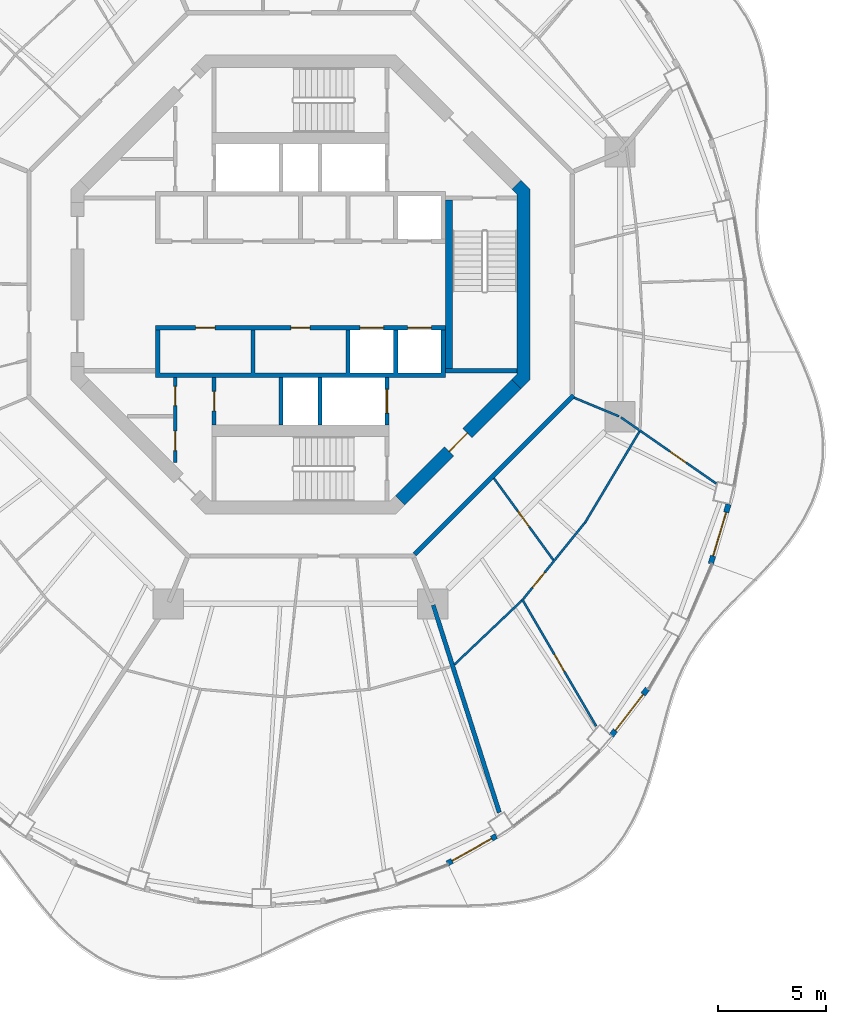
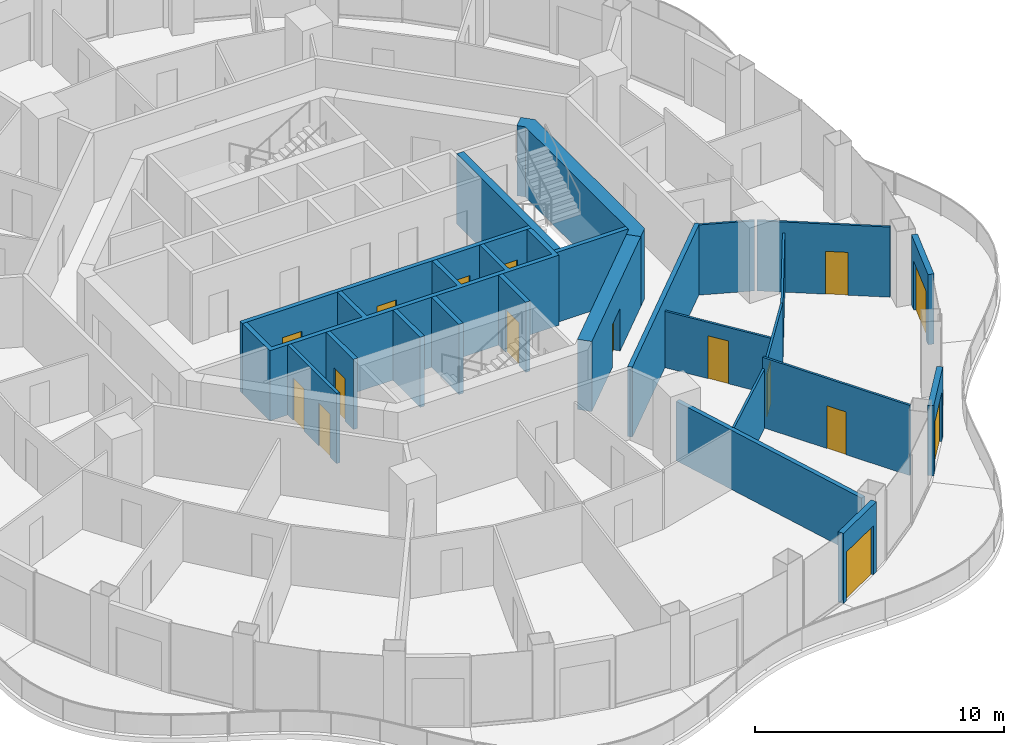
# One storey, part 11 of 17: 23 walls, 16 doors, 16 openings.
"""IFC4 building model written with IfcOpenShell, lengths in metres."""

from ifc_helpers import new_model, si_unit, direction, frame, frame_2d, origin, place, context, subcontext, project, spatial, polyline, rectangle, outline, extrude, material, layer, layer_set, type_object, element, fill, save


model = new_model("IFC4")

# Units and contexts
model_context = context("Model", 3, precision=1e-05, world=origin(), true_north=direction((0.0, 1.0)))
body_context = subcontext(model_context, "Body", "Model", "MODEL_VIEW")
ifc_project = project(units=[si_unit("LENGTHUNIT", "METRE"), si_unit("AREAUNIT", "SQUARE_METRE"), si_unit("VOLUMEUNIT", "CUBIC_METRE"), si_unit("PLANEANGLEUNIT", "RADIAN"), si_unit("MASSUNIT", "GRAM", prefix="KILO")], contexts=[model_context])

# Site, building, storey
site_placement = place(None, origin())
site = spatial("IfcSite", under=ifc_project, at=site_placement, CompositionType="ELEMENT")
building_placement = place(site_placement, origin())
building = spatial("IfcBuilding", under=site, at=building_placement, Name="Nagisa Residences", CompositionType="ELEMENT")
storey_placement = place(building_placement, frame((0.0, 0.0, 269.60009765625)))
storey = spatial("IfcBuildingStorey", under=building, at=storey_placement, Name="L68", CompositionType="ELEMENT", Elevation=269.60009765625)

# Walls
ifc_material_1 = material(Name="Gypsum board on steel studs", Category="steel")
ifc_layer_1 = layer(ifc_material_1, 0.199951171875)
ifc_layer_set_1 = layer_set([ifc_layer_1], Name="Apartment compartment wall EI60 200")
wall_type_1 = type_object("IfcWallType", Name="Apartment compartment wall EI60 200", PredefinedType="PARTITIONING", material=ifc_layer_set_1)
wall_1_placement = place(storey_placement, frame((6.13818359375, -14.82958984375, 0.0), z_axis=(0.0, 0.0, 1.0), x_axis=(0.303653679037, -0.952782474234, 0.0)))
element("IfcWall", 1, at=wall_1_placement, inside=storey, type_object=wall_type_1, Name="wall:L68:u09", PredefinedType="PARTITIONING", context=body_context, shape_type="SweptSolid", body=[
    extrude(rectangle(XDim=10.075927734375, YDim=0.199951171875, at=frame_2d((5.0380859375, 0.0))), origin(), (0.0, 0.0, 1.0), 2.90478515625),
])
ifc_material_2 = material(Name="Gypsum board on steel studs", Category="steel")
ifc_layer_2 = layer(ifc_material_2, 0.199951171875)
ifc_layer_set_2 = layer_set([ifc_layer_2], Name="Apartment entry wall EI60 200")
wall_type_2 = type_object("IfcWallType", Name="Apartment entry wall EI60 200", PredefinedType="PARTITIONING", material=ifc_layer_set_2)
wall_2_placement = place(storey_placement, frame((5.275146484375, -12.494140625, 0.0), z_axis=(0.0, 0.0, 1.0), x_axis=(0.707106781187, 0.707106781187, 0.0)))
element("IfcWall", 2, at=wall_2_placement, inside=storey, type_object=wall_type_2, Name="wall:L68:u17", PredefinedType="PARTITIONING", context=body_context, shape_type="SweptSolid", body=[
    extrude(rectangle(XDim=10.4091796875, YDim=0.199951171875, at=frame_2d((5.20458984375, 0.0))), origin(), (0.0, 0.0, 1.0), 3.43994140625),
])
ifc_material_3 = material(Name="Gypsum board on steel studs", Category="steel")
ifc_layer_3 = layer(ifc_material_3, 0.10009765625)
ifc_layer_set_3 = layer_set([ifc_layer_3], Name="Apartment partition 100")
wall_type_3 = type_object("IfcWallType", Name="Apartment partition 100", PredefinedType="PARTITIONING", material=ifc_layer_set_3)
wall_3_placement = place(storey_placement, frame((7.113037109375, -17.592041015625, 0.0), z_axis=(0.0, 0.0, 1.0), x_axis=(0.725433932329, 0.688291805723, 0.0)))
element("IfcWall", 3, at=wall_3_placement, inside=storey, type_object=wall_type_3, Name="wall:L68:u60", PredefinedType="PARTITIONING", context=body_context, shape_type="SweptSolid", body=[
    extrude(rectangle(XDim=4.305419921875, YDim=0.10009765625, at=frame_2d((2.15283203125, 0.0))), origin(), (0.0, 0.0, 1.0), 2.90478515625),
])

# Wall, opening, door
wall_4_placement = place(storey_placement, frame((10.24755859375, -14.551025390625, 0.0), z_axis=(0.0, 0.0, 1.0), x_axis=(0.503826483408, -0.86380488226, 0.0)))
wall_4 = element("IfcWall", 4, at=wall_4_placement, inside=storey, type_object=wall_type_3, Name="wall:L68:u61", PredefinedType="PARTITIONING", context=body_context, shape_type="SweptSolid", body=[
    extrude(rectangle(XDim=6.81591796875, YDim=0.10009765625, at=frame_2d((3.407958984375, 0.0))), origin(), (0.0, 0.0, 1.0), 3.43994140625),
])
opening_1_placement = place(wall_4_placement, frame((2.98291015625, 0.0, 0.0)))
opening_1 = element("IfcOpeningElement", 5, at=opening_1_placement, cuts=wall_4, Name="Opening L68-U39", PredefinedType="OPENING", context=body_context, shape_type="SweptSolid", body=[
    extrude(rectangle(XDim=0.89990234375, YDim=2.10009765625, at=frame_2d((0.449951171875, 1.050048828125))), frame((0.0, 0.06005859375, 0.0), z_axis=(0.0, -1.0, 0.0), x_axis=(1.0, 0.0, 0.0)), (0.0, 0.0, 1.0), 0.1201171875),
])
ifc_material_4 = material(Name="Timber door set", Category="wood")
door_type_1 = type_object("IfcDoorType", Name="Apartment door 900x2100", OperationType="NOTDEFINED", PredefinedType="DOOR", material=ifc_material_4)
door_1_placement = place(opening_1_placement, frame((0.89990234375, 0.0, 0.0), x_axis=(-1.0, 0.0, 0.0)))
door_1 = element("IfcDoor", 6, at=door_1_placement, inside=storey, type_object=door_type_1, Name="Door to master bedroom, Apartment 68E", OperationType="SINGLE_SWING_RIGHT", OverallHeight=2.10009765625, OverallWidth=0.89990234375, PredefinedType="DOOR", context=body_context, shape_type="SweptSolid", body=[
    extrude(rectangle(XDim=0.89990234375, YDim=2.10009765625, at=frame_2d((0.449951171875, 1.050048828125))), frame((0.0, 0.02490234375, 0.0), z_axis=(0.0, -1.0, 0.0), x_axis=(1.0, 0.0, 0.0)), (0.0, 0.0, 1.0), 0.050048828125),
])
fill(opening_1, door_1)

wall_5_placement = place(storey_placement, frame((10.303955078125, -14.555419921875, 0.0), z_axis=(0.0, 0.0, 1.0), x_axis=(0.628170338674, 0.778075848237, 0.0)))
wall_5 = element("IfcWall", 7, at=wall_5_placement, inside=storey, type_object=wall_type_3, Name="wall:L68:u62", PredefinedType="PARTITIONING", context=body_context, shape_type="SweptSolid", body=[
    extrude(rectangle(XDim=4.532470703125, YDim=0.10009765625, at=frame_2d((2.26611328125, 0.0))), origin(), (0.0, 0.0, 1.0), 2.90478515625),
])
opening_2_placement = place(wall_5_placement, frame((0.68310546875, 0.0, 0.0)))
opening_2 = element("IfcOpeningElement", 8, at=opening_2_placement, cuts=wall_5, Name="Opening L68-U37", PredefinedType="OPENING", context=body_context, shape_type="SweptSolid", body=[
    extrude(rectangle(XDim=0.89990234375, YDim=2.10009765625, at=frame_2d((0.449951171875, 1.050048828125))), frame((0.0, 0.06005859375, 0.0), z_axis=(0.0, -1.0, 0.0), x_axis=(1.0, 0.0, 0.0)), (0.0, 0.0, 1.0), 0.1201171875),
])
door_2_placement = place(opening_2_placement, origin())
door_2 = element("IfcDoor", 9, at=door_2_placement, inside=storey, type_object=door_type_1, Name="Door to laundry, Apartment 68E", OperationType="SINGLE_SWING_LEFT", OverallHeight=2.10009765625, OverallWidth=0.89990234375, PredefinedType="DOOR", context=body_context, shape_type="SweptSolid", body=[
    extrude(rectangle(XDim=0.89990234375, YDim=2.10009765625, at=frame_2d((0.449951171875, 1.050048828125))), frame((0.0, 0.02490234375, 0.0), z_axis=(0.0, -1.0, 0.0), x_axis=(1.0, 0.0, 0.0)), (0.0, 0.0, 1.0), 0.050048828125),
])
fill(opening_2, door_2)

wall_6_placement = place(storey_placement, frame((8.943359375, -8.965576171875, 0.0), z_axis=(0.0, 0.0, 1.0), x_axis=(0.588357698232, -0.808600778463, 0.0)))
wall_6 = element("IfcWall", 10, at=wall_6_placement, inside=storey, type_object=wall_type_3, Name="wall:L68:u63", PredefinedType="PARTITIONING", context=body_context, shape_type="SweptSolid", body=[
    extrude(rectangle(XDim=4.682373046875, YDim=0.10009765625, at=frame_2d((2.34130859375, 0.0))), origin(), (0.0, 0.0, 1.0), 2.761962890625),
])
opening_3_placement = place(wall_6_placement, frame((1.89111328125, 0.0, 0.0)))
opening_3 = element("IfcOpeningElement", 11, at=opening_3_placement, cuts=wall_6, Name="Opening L68-U38", PredefinedType="OPENING", context=body_context, shape_type="SweptSolid", body=[
    extrude(rectangle(XDim=0.89990234375, YDim=2.10009765625, at=frame_2d((0.449951171875, 1.050048828125))), frame((0.0, 0.06005859375, 0.0), z_axis=(0.0, -1.0, 0.0), x_axis=(1.0, 0.0, 0.0)), (0.0, 0.0, 1.0), 0.1201171875),
])
door_3_placement = place(opening_3_placement, origin())
door_3 = element("IfcDoor", 12, at=door_3_placement, inside=storey, type_object=door_type_1, Name="Door to store, Apartment 68E", OperationType="SINGLE_SWING_RIGHT", OverallHeight=2.10009765625, OverallWidth=0.89990234375, PredefinedType="DOOR", context=body_context, shape_type="SweptSolid", body=[
    extrude(rectangle(XDim=0.89990234375, YDim=2.10009765625, at=frame_2d((0.449951171875, 1.050048828125))), frame((0.0, 0.02490234375, 0.0), z_axis=(0.0, -1.0, 0.0), x_axis=(1.0, 0.0, 0.0)), (0.0, 0.0, 1.0), 0.050048828125),
])
fill(opening_3, door_3)

# Walls
wall_7_placement = place(storey_placement, frame((13.156982421875, -11.03271484375, 0.0), z_axis=(0.0, 0.0, 1.0), x_axis=(0.512736548388, 0.858545998737, 0.0)))
element("IfcWall", 13, at=wall_7_placement, inside=storey, type_object=wall_type_3, Name="wall:L68:u64", PredefinedType="PARTITIONING", context=body_context, shape_type="SweptSolid", body=[
    extrude(rectangle(XDim=4.921630859375, YDim=0.10009765625, at=frame_2d((2.4609375, 0.0))), origin(), (0.0, 0.0, 1.0), 2.90478515625),
])
wall_8_placement = place(storey_placement, frame((12.6572265625, -5.24267578125, 0.0), z_axis=(0.0, 0.0, 1.0), x_axis=(0.923864733477, -0.382719158442, 0.0)))
element("IfcWall", 14, at=wall_8_placement, inside=storey, type_object=wall_type_3, Name="wall:L68:u65", PredefinedType="PARTITIONING", context=body_context, shape_type="SweptSolid", body=[
    extrude(rectangle(XDim=2.25, YDim=0.10009765625, at=frame_2d((1.125, 0.0))), origin(), (0.0, 0.0, 1.0), 3.43994140625),
])

# Wall, opening, door
wall_9_placement = place(storey_placement, frame((14.8232421875, -6.1513671875, 0.0), z_axis=(0.0, 0.0, 1.0), x_axis=(0.821435065081, -0.570302054928, 0.0)))
wall_9 = element("IfcWall", 15, at=wall_9_placement, inside=storey, type_object=wall_type_3, Name="wall:L68:u66", PredefinedType="PARTITIONING", context=body_context, shape_type="SweptSolid", body=[
    extrude(rectangle(XDim=5.3681640625, YDim=0.10009765625, at=frame_2d((2.68408203125, 0.0))), origin(), (0.0, 0.0, 1.0), 3.43994140625),
])
opening_4_placement = place(wall_9_placement, frame((2.771484375, 0.0, 0.0)))
opening_4 = element("IfcOpeningElement", 16, at=opening_4_placement, cuts=wall_9, Name="Opening L68-U36", PredefinedType="OPENING", context=body_context, shape_type="SweptSolid", body=[
    extrude(rectangle(XDim=0.89990234375, YDim=2.10009765625, at=frame_2d((0.449951171875, 1.050048828125))), frame((0.0, 0.06005859375, 0.0), z_axis=(0.0, -1.0, 0.0), x_axis=(1.0, 0.0, 0.0)), (0.0, 0.0, 1.0), 0.1201171875),
])
door_4_placement = place(opening_4_placement, frame((0.89990234375, 0.0, 0.0), x_axis=(-1.0, 0.0, 0.0)))
door_4 = element("IfcDoor", 17, at=door_4_placement, inside=storey, type_object=door_type_1, Name="Door to living room, Apartment 68E", OperationType="SINGLE_SWING_LEFT", OverallHeight=2.10009765625, OverallWidth=0.89990234375, PredefinedType="DOOR", context=body_context, shape_type="SweptSolid", body=[
    extrude(rectangle(XDim=0.89990234375, YDim=2.10009765625, at=frame_2d((0.449951171875, 1.050048828125))), frame((0.0, 0.02490234375, 0.0), z_axis=(0.0, -1.0, 0.0), x_axis=(1.0, 0.0, 0.0)), (0.0, 0.0, 1.0), 0.050048828125),
])
fill(opening_4, door_4)

ifc_material_5 = material(Name="Precast concrete C40/50", Category="concrete")
ifc_layer_4 = layer(ifc_material_5, 0.25)
ifc_layer_set_4 = layer_set([ifc_layer_4], Name="BALCONY DOOR WALL 250")
wall_type_4 = type_object("IfcWallType", Name="BALCONY DOOR WALL 250", PredefinedType="SOLIDWALL", material=ifc_layer_set_4)
wall_10_placement = place(storey_placement, frame((9.056396484375, -25.5205078125, 0.0), z_axis=(0.0, 0.0, 1.0), x_axis=(-0.872093060299, -0.489340059855, 0.0)))
wall_10 = element("IfcWall", 18, at=wall_10_placement, inside=storey, type_object=wall_type_4, Name="wall:L68:bay39", PredefinedType="SOLIDWALL", context=body_context, shape_type="SweptSolid", body=[
    extrude(rectangle(XDim=2.5927734375, YDim=0.25, at=frame_2d((1.29638671875, 0.0))), origin(), (0.0, 0.0, 1.0), 3.43994140625),
])
opening_5_placement = place(wall_10_placement, frame((0.24658203125, 0.0, 0.0)))
opening_5 = element("IfcOpeningElement", 19, at=opening_5_placement, cuts=wall_10, Name="Opening BD-L68-14", PredefinedType="OPENING", context=body_context, shape_type="SweptSolid", body=[
    extrude(rectangle(XDim=2.10009765625, YDim=2.39990234375, at=frame_2d((1.050048828125, 1.199951171875))), frame((0.0, 0.135009765625, 0.0), z_axis=(0.0, -1.0, 0.0), x_axis=(1.0, 0.0, 0.0)), (0.0, 0.0, 1.0), 0.27001953125),
])
ifc_material_6 = material(Name="Aluminium and clear glass", Category="aluminium")
door_type_2 = type_object("IfcDoorType", Name="BALCONY SLIDING DOOR 2100x2400", OperationType="SLIDING_TO_LEFT", PredefinedType="DOOR", material=ifc_material_6)
door_5_placement = place(opening_5_placement, origin())
door_5 = element("IfcDoor", 20, at=door_5_placement, inside=storey, type_object=door_type_2, Name="door:L68:bay39", OperationType="SLIDING_TO_LEFT", OverallHeight=2.39990234375, OverallWidth=2.10009765625, PredefinedType="DOOR", context=body_context, shape_type="SweptSolid", body=[
    extrude(rectangle(XDim=2.10009765625, YDim=2.39990234375, at=frame_2d((1.050048828125, 1.199951171875))), frame((0.0, 0.02490234375, 0.0), z_axis=(0.0, -1.0, 0.0), x_axis=(1.0, 0.0, 0.0)), (0.0, 0.0, 1.0), 0.050048828125),
])
fill(opening_5, door_5)

wall_11_placement = place(storey_placement, frame((16.046630859375, -18.7109375, 0.0), z_axis=(0.0, 0.0, 1.0), x_axis=(-0.610432336622, -0.792068407656, 0.0)))
wall_11 = element("IfcWall", 21, at=wall_11_placement, inside=storey, type_object=wall_type_4, Name="wall:L68:bay42", PredefinedType="SOLIDWALL", context=body_context, shape_type="SweptSolid", body=[
    extrude(rectangle(XDim=2.74609375, YDim=0.25, at=frame_2d((1.373046875, 0.0))), origin(), (0.0, 0.0, 1.0), 3.43994140625),
])
opening_6_placement = place(wall_11_placement, frame((0.322998046875, 0.0, 0.0)))
opening_6 = element("IfcOpeningElement", 22, at=opening_6_placement, cuts=wall_11, Name="Opening BD-L68-15", PredefinedType="OPENING", context=body_context, shape_type="SweptSolid", body=[
    extrude(rectangle(XDim=2.10009765625, YDim=2.39990234375, at=frame_2d((1.050048828125, 1.199951171875))), frame((0.0, 0.135009765625, 0.0), z_axis=(0.0, -1.0, 0.0), x_axis=(1.0, 0.0, 0.0)), (0.0, 0.0, 1.0), 0.27001953125),
])
door_6_placement = place(opening_6_placement, origin())
door_6 = element("IfcDoor", 23, at=door_6_placement, inside=storey, type_object=door_type_2, Name="door:L68:bay42", OperationType="SLIDING_TO_LEFT", OverallHeight=2.39990234375, OverallWidth=2.10009765625, PredefinedType="DOOR", context=body_context, shape_type="SweptSolid", body=[
    extrude(rectangle(XDim=2.10009765625, YDim=2.39990234375, at=frame_2d((1.050048828125, 1.199951171875))), frame((0.0, 0.02490234375, 0.0), z_axis=(0.0, -1.0, 0.0), x_axis=(1.0, 0.0, 0.0)), (0.0, 0.0, 1.0), 0.050048828125),
])
fill(opening_6, door_6)

wall_12_placement = place(storey_placement, frame((19.80078125, -10.17529296875, 0.0), z_axis=(0.0, 0.0, 1.0), x_axis=(-0.285899456462, -0.958259620768, 0.0)))
wall_12 = element("IfcWall", 24, at=wall_12_placement, inside=storey, type_object=wall_type_4, Name="wall:L68:bay45", PredefinedType="SOLIDWALL", context=body_context, shape_type="SweptSolid", body=[
    extrude(rectangle(XDim=2.876953125, YDim=0.25, at=frame_2d((1.4384765625, 0.0))), origin(), (0.0, 0.0, 1.0), 3.43994140625),
])
opening_7_placement = place(wall_12_placement, frame((0.388671875, 0.0, 0.0)))
opening_7 = element("IfcOpeningElement", 25, at=opening_7_placement, cuts=wall_12, Name="Opening BD-L68-16", PredefinedType="OPENING", context=body_context, shape_type="SweptSolid", body=[
    extrude(rectangle(XDim=2.10009765625, YDim=2.39990234375, at=frame_2d((1.050048828125, 1.199951171875))), frame((0.0, 0.135009765625, 0.0), z_axis=(0.0, -1.0, 0.0), x_axis=(1.0, 0.0, 0.0)), (0.0, 0.0, 1.0), 0.27001953125),
])
door_7_placement = place(opening_7_placement, origin())
door_7 = element("IfcDoor", 26, at=door_7_placement, inside=storey, type_object=door_type_2, Name="door:L68:bay45", OperationType="SLIDING_TO_LEFT", OverallHeight=2.39990234375, OverallWidth=2.10009765625, PredefinedType="DOOR", context=body_context, shape_type="SweptSolid", body=[
    extrude(rectangle(XDim=2.10009765625, YDim=2.39990234375, at=frame_2d((1.050048828125, 1.199951171875))), frame((0.0, 0.02490234375, 0.0), z_axis=(0.0, -1.0, 0.0), x_axis=(1.0, 0.0, 0.0)), (0.0, 0.0, 1.0), 0.050048828125),
])
fill(opening_7, door_7)

# Wall, openings, doors
ifc_material_7 = material(Name="Gypsum board on steel studs", Category="steel")
ifc_layer_5 = layer(ifc_material_7, 0.14990234375)
ifc_layer_set_5 = layer_set([ifc_layer_5], Name="Core partition 150")
wall_type_5 = type_object("IfcWallType", Name="Core partition 150", PredefinedType="PARTITIONING", material=ifc_layer_set_5)
wall_13_placement = place(storey_placement, frame((-5.800048828125, -8.22705078125, 0.0), z_axis=(0.0, 0.0, 1.0), x_axis=(0.0, 1.0, 0.0)))
wall_13 = element("IfcWall", 27, at=wall_13_placement, inside=storey, type_object=wall_type_5, Name="wall:L68:SWp", PredefinedType="PARTITIONING", context=body_context, shape_type="SweptSolid", body=[
    extrude(rectangle(XDim=3.927001953125, YDim=0.14990234375, at=frame_2d((1.96337890625, 0.0))), origin(), (0.0, 0.0, 1.0), 3.43994140625),
])
opening_8_placement = place(wall_13_placement, frame((2.614501953125, 0.0, 0.0)))
opening_8 = element("IfcOpeningElement", 28, at=opening_8_placement, cuts=wall_13, Name="Opening L68-C12", PredefinedType="OPENING", context=body_context, shape_type="SweptSolid", body=[
    extrude(rectangle(XDim=0.89990234375, YDim=2.10009765625, at=frame_2d((0.449951171875, 1.050048828125))), frame((0.0, 0.0849609375, 0.0), z_axis=(0.0, -1.0, 0.0), x_axis=(1.0, 0.0, 0.0)), (0.0, 0.0, 1.0), 0.169921875),
])
opening_9_placement = place(wall_13_placement, frame((0.53857421875, 0.0, 0.0)))
opening_9 = element("IfcOpeningElement", 29, at=opening_9_placement, cuts=wall_13, Name="Opening L68-C13", PredefinedType="OPENING", context=body_context, shape_type="SweptSolid", body=[
    extrude(rectangle(XDim=0.89990234375, YDim=2.10009765625, at=frame_2d((0.449951171875, 1.050048828125))), frame((0.0, 0.0849609375, 0.0), z_axis=(0.0, -1.0, 0.0), x_axis=(1.0, 0.0, 0.0)), (0.0, 0.0, 1.0), 0.169921875),
])
ifc_material_8 = material(Name="Steel fire door", Category="steel")
door_type_3 = type_object("IfcDoorType", Name="Fire door EI30 900x2100 single swing", OperationType="NOTDEFINED", PredefinedType="DOOR", material=ifc_material_8)
door_8_placement = place(opening_8_placement, origin())
door_8 = element("IfcDoor", 30, at=door_8_placement, inside=storey, type_object=door_type_3, Name="Valet store door L68", OperationType="SINGLE_SWING_LEFT", OverallHeight=2.10009765625, OverallWidth=0.89990234375, PredefinedType="DOOR", context=body_context, shape_type="SweptSolid", body=[
    extrude(rectangle(XDim=0.89990234375, YDim=2.10009765625, at=frame_2d((0.449951171875, 1.050048828125))), frame((0.0, 0.02490234375, 0.0), z_axis=(0.0, -1.0, 0.0), x_axis=(1.0, 0.0, 0.0)), (0.0, 0.0, 1.0), 0.050048828125),
])
fill(opening_8, door_8)
door_9_placement = place(opening_9_placement, origin())
door_9 = element("IfcDoor", 31, at=door_9_placement, inside=storey, type_object=door_type_3, Name="Staff WC door L68", OperationType="SINGLE_SWING_LEFT", OverallHeight=2.10009765625, OverallWidth=0.89990234375, PredefinedType="DOOR", context=body_context, shape_type="SweptSolid", body=[
    extrude(rectangle(XDim=0.89990234375, YDim=2.10009765625, at=frame_2d((0.449951171875, 1.050048828125))), frame((0.0, 0.02490234375, 0.0), z_axis=(0.0, -1.0, 0.0), x_axis=(1.0, 0.0, 0.0)), (0.0, 0.0, 1.0), 0.050048828125),
])
fill(opening_9, door_9)

# Wall, opening, door
ifc_material_9 = material(Name="Concrete C60", Category="concrete")
ifc_layer_6 = layer(ifc_material_9, 0.60009765625)
ifc_layer_set_6 = layer_set([ifc_layer_6], Name="Core shear wall 600")
wall_type_6 = type_object("IfcWallType", Name="Core shear wall 600", PredefinedType="SHEAR", material=ifc_layer_set_6)
wall_14_placement = place(storey_placement, frame((4.613037109375, -9.98828125, 0.0), z_axis=(0.0, 0.0, 1.0), x_axis=(0.707106781187, 0.707106781187, 0.0)))
wall_14 = element("IfcWall", 32, at=wall_14_placement, inside=storey, type_object=wall_type_6, Name="wall:L68:core:flat7", PredefinedType="SHEAR", context=body_context, shape_type="SweptSolid", body=[
    extrude(rectangle(XDim=7.601806640625, YDim=0.60009765625, at=frame_2d((3.80078125, 0.0))), origin(), (0.0, 0.0, 1.0), 3.43994140625),
])
opening_10_placement = place(wall_14_placement, frame((3.200927734375, 0.0, 0.0)))
opening_10 = element("IfcOpeningElement", 33, at=opening_10_placement, cuts=wall_14, Name="Opening L68-C22", PredefinedType="OPENING", context=body_context, shape_type="SweptSolid", body=[
    extrude(rectangle(XDim=1.199951171875, YDim=2.10009765625, at=frame_2d((0.60009765625, 1.050048828125))), frame((0.0, 0.31005859375, 0.0), z_axis=(0.0, -1.0, 0.0), x_axis=(1.0, 0.0, 0.0)), (0.0, 0.0, 1.0), 0.6201171875),
])
ifc_material_10 = material(Name="Steel fire door", Category="steel")
door_type_4 = type_object("IfcDoorType", Name="Fire door EI60 1200x2100 single swing", OperationType="NOTDEFINED", PredefinedType="DOOR", material=ifc_material_10)
door_10_placement = place(opening_10_placement, origin())
door_10 = element("IfcDoor", 34, at=door_10_placement, inside=storey, type_object=door_type_4, Name="Firefighting lobby 2 door L68", OperationType="SINGLE_SWING_RIGHT", OverallHeight=2.10009765625, OverallWidth=1.199951171875, PredefinedType="DOOR", context=body_context, shape_type="SweptSolid", body=[
    extrude(rectangle(XDim=1.199951171875, YDim=2.10009765625, at=frame_2d((0.60009765625, 1.050048828125))), frame((0.0, 0.02490234375, 0.0), z_axis=(0.0, -1.0, 0.0), x_axis=(1.0, 0.0, 0.0)), (0.0, 0.0, 1.0), 0.050048828125),
])
fill(opening_10, door_10)

# Wall
wall_15_placement = place(storey_placement, origin())
element("IfcWall", 35, at=wall_15_placement, inside=storey, type_object=wall_type_6, Name="wall:L68:core:flat0", PredefinedType="SHEAR", context=body_context, shape_type="SweptSolid", body=[
    extrude(outline(polyline([(9.776123046875, -4.40087890625), (10.024658203125, -4.15234375), (10.024658203125, -3.801025390625), (10.024658203125, 4.15234375), (9.776123046875, 4.40087890625), (10.200439453125, 4.8251953125), (10.62451171875, 4.40087890625), (10.62451171875, -4.40087890625), (10.200439453125, -4.8251953125), (9.776123046875, -4.40087890625)])), origin(), (0.0, 0.0, 1.0), 3.43994140625),
])

# Wall, opening, door
ifc_material_11 = material(Name="Concrete C60", Category="concrete")
ifc_layer_7 = layer(ifc_material_11, 0.199951171875)
ifc_layer_set_7 = layer_set([ifc_layer_7], Name="Lift shaft wall 200")
wall_type_7 = type_object("IfcWallType", Name="Lift shaft wall 200", PredefinedType="SOLIDWALL", material=ifc_layer_set_7)
wall_16_placement = place(storey_placement, frame((4.0, -6.5, 0.0), z_axis=(0.0, 0.0, 1.0), x_axis=(0.0, 1.0, 0.0)))
wall_16 = element("IfcWall", 36, at=wall_16_placement, inside=storey, type_object=wall_type_7, Name="wall:L68:Sb3", PredefinedType="SOLIDWALL", context=body_context, shape_type="SweptSolid", body=[
    extrude(rectangle(XDim=2.199951171875, YDim=0.199951171875, at=frame_2d((1.10009765625, 0.0))), origin(), (0.0, 0.0, 1.0), 3.43994140625),
])
opening_11_placement = place(wall_16_placement, frame((0.550048828125, 0.0, 0.0)))
opening_11 = element("IfcOpeningElement", 37, at=opening_11_placement, cuts=wall_16, Name="Opening L68-C05", PredefinedType="OPENING", context=body_context, shape_type="SweptSolid", body=[
    extrude(rectangle(XDim=1.10009765625, YDim=2.10009765625, at=frame_2d((0.550048828125, 1.050048828125))), frame((0.0, 0.10986328125, 0.0), z_axis=(0.0, -1.0, 0.0), x_axis=(1.0, 0.0, 0.0)), (0.0, 0.0, 1.0), 0.219970703125),
])
ifc_material_12 = material(Name="Stainless steel", Category="steel")
door_type_5 = type_object("IfcDoorType", Name="Lift landing door 1100x2100", OperationType="DOUBLE_DOOR_SLIDING", PredefinedType="DOOR", material=ifc_material_12)
door_11_placement = place(opening_11_placement, origin())
door_11 = element("IfcDoor", 38, at=door_11_placement, inside=storey, type_object=door_type_5, Name="Landing door FL2 L68", OperationType="DOUBLE_DOOR_SLIDING", OverallHeight=2.10009765625, OverallWidth=1.10009765625, PredefinedType="DOOR", context=body_context, shape_type="SweptSolid", body=[
    extrude(rectangle(XDim=1.10009765625, YDim=2.10009765625, at=frame_2d((0.550048828125, 1.050048828125))), frame((0.0, 0.02490234375, 0.0), z_axis=(0.0, -1.0, 0.0), x_axis=(1.0, 0.0, 0.0)), (0.0, 0.0, 1.0), 0.050048828125),
])
fill(opening_11, door_11)

wall_17_placement = place(storey_placement, frame((-4.0, -6.5, 0.0), z_axis=(0.0, 0.0, 1.0), x_axis=(0.0, 1.0, 0.0)))
wall_17 = element("IfcWall", 39, at=wall_17_placement, inside=storey, type_object=wall_type_7, Name="wall:L68:Sb4", PredefinedType="SOLIDWALL", context=body_context, shape_type="SweptSolid", body=[
    extrude(rectangle(XDim=2.199951171875, YDim=0.199951171875, at=frame_2d((1.10009765625, 0.0))), origin(), (0.0, 0.0, 1.0), 3.43994140625),
])
opening_12_placement = place(wall_17_placement, frame((0.64990234375, 0.0, 0.0)))
opening_12 = element("IfcOpeningElement", 40, at=opening_12_placement, cuts=wall_17, Name="Opening L68-C14", PredefinedType="OPENING", context=body_context, shape_type="SweptSolid", body=[
    extrude(rectangle(XDim=0.89990234375, YDim=2.10009765625, at=frame_2d((0.449951171875, 1.050048828125))), frame((0.0, 0.10986328125, 0.0), z_axis=(0.0, -1.0, 0.0), x_axis=(1.0, 0.0, 0.0)), (0.0, 0.0, 1.0), 0.219970703125),
])
door_12_placement = place(opening_12_placement, frame((0.89990234375, 0.0, 0.0), x_axis=(-1.0, 0.0, 0.0)))
door_12 = element("IfcDoor", 41, at=door_12_placement, inside=storey, type_object=door_type_3, Name="Refuse room door L68", OperationType="SINGLE_SWING_LEFT", OverallHeight=2.10009765625, OverallWidth=0.89990234375, PredefinedType="DOOR", context=body_context, shape_type="SweptSolid", body=[
    extrude(rectangle(XDim=0.89990234375, YDim=2.10009765625, at=frame_2d((0.449951171875, 1.050048828125))), frame((0.0, 0.02490234375, 0.0), z_axis=(0.0, -1.0, 0.0), x_axis=(1.0, 0.0, 0.0)), (0.0, 0.0, 1.0), 0.050048828125),
])
fill(opening_12, door_12)

# Wall, openings, doors
wall_18_placement = place(storey_placement, frame((-6.699951171875, -2.0, 0.0), z_axis=(0.0, 0.0, 1.0), x_axis=(1.0, 0.0, 0.0)))
wall_18 = element("IfcWall", 42, at=wall_18_placement, inside=storey, type_object=wall_type_7, Name="wall:L68:Sfront", PredefinedType="SOLIDWALL", context=body_context, shape_type="SweptSolid", body=[
    extrude(rectangle(XDim=13.39990234375, YDim=0.199951171875, at=frame_2d((6.699951171875, 0.0))), origin(), (0.0, 0.0, 1.0), 3.43994140625),
])
opening_13_placement = place(wall_18_placement, frame((9.449951171875, 0.0, 0.0)))
opening_13 = element("IfcOpeningElement", 43, at=opening_13_placement, cuts=wall_18, Name="Opening L68-C02", PredefinedType="OPENING", context=body_context, shape_type="SweptSolid", body=[
    extrude(rectangle(XDim=1.10009765625, YDim=2.10009765625, at=frame_2d((0.550048828125, 1.050048828125))), frame((0.0, 0.10986328125, 0.0), z_axis=(0.0, -1.0, 0.0), x_axis=(1.0, 0.0, 0.0)), (0.0, 0.0, 1.0), 0.219970703125),
])
opening_14_placement = place(wall_18_placement, frame((11.64990234375, 0.0, 0.0)))
opening_14 = element("IfcOpeningElement", 44, at=opening_14_placement, cuts=wall_18, Name="Opening L68-C03", PredefinedType="OPENING", context=body_context, shape_type="SweptSolid", body=[
    extrude(rectangle(XDim=1.10009765625, YDim=2.10009765625, at=frame_2d((0.550048828125, 1.050048828125))), frame((0.0, 0.10986328125, 0.0), z_axis=(0.0, -1.0, 0.0), x_axis=(1.0, 0.0, 0.0)), (0.0, 0.0, 1.0), 0.219970703125),
])
opening_15_placement = place(wall_18_placement, frame((1.85009765625, 0.0, 0.0)))
opening_15 = element("IfcOpeningElement", 45, at=opening_15_placement, cuts=wall_18, Name="Opening L68-C19", PredefinedType="OPENING", context=body_context, shape_type="SweptSolid", body=[
    extrude(rectangle(XDim=0.89990234375, YDim=2.10009765625, at=frame_2d((0.449951171875, 1.050048828125))), frame((0.0, 0.10986328125, 0.0), z_axis=(0.0, -1.0, 0.0), x_axis=(1.0, 0.0, 0.0)), (0.0, 0.0, 1.0), 0.219970703125),
])
opening_16_placement = place(wall_18_placement, frame((6.25, 0.0, 0.0)))
opening_16 = element("IfcOpeningElement", 46, at=opening_16_placement, cuts=wall_18, Name="Opening L68-C20", PredefinedType="OPENING", context=body_context, shape_type="SweptSolid", body=[
    extrude(rectangle(XDim=0.89990234375, YDim=2.10009765625, at=frame_2d((0.449951171875, 1.050048828125))), frame((0.0, 0.10986328125, 0.0), z_axis=(0.0, -1.0, 0.0), x_axis=(1.0, 0.0, 0.0)), (0.0, 0.0, 1.0), 0.219970703125),
])
door_13_placement = place(opening_15_placement, frame((0.89990234375, 0.0, 0.0), x_axis=(-1.0, 0.0, 0.0)))
door_13 = element("IfcDoor", 47, at=door_13_placement, inside=storey, type_object=door_type_3, Name="Tea preparation door L68", OperationType="SINGLE_SWING_LEFT", OverallHeight=2.10009765625, OverallWidth=0.89990234375, PredefinedType="DOOR", context=body_context, shape_type="SweptSolid", body=[
    extrude(rectangle(XDim=0.89990234375, YDim=2.10009765625, at=frame_2d((0.449951171875, 1.050048828125))), frame((0.0, 0.02490234375, 0.0), z_axis=(0.0, -1.0, 0.0), x_axis=(1.0, 0.0, 0.0)), (0.0, 0.0, 1.0), 0.050048828125),
])
fill(opening_15, door_13)
door_14_placement = place(opening_16_placement, frame((0.89990234375, 0.0, 0.0), x_axis=(-1.0, 0.0, 0.0)))
door_14 = element("IfcDoor", 48, at=door_14_placement, inside=storey, type_object=door_type_3, Name="Housekeeping store door L68", OperationType="SINGLE_SWING_LEFT", OverallHeight=2.10009765625, OverallWidth=0.89990234375, PredefinedType="DOOR", context=body_context, shape_type="SweptSolid", body=[
    extrude(rectangle(XDim=0.89990234375, YDim=2.10009765625, at=frame_2d((0.449951171875, 1.050048828125))), frame((0.0, 0.02490234375, 0.0), z_axis=(0.0, -1.0, 0.0), x_axis=(1.0, 0.0, 0.0)), (0.0, 0.0, 1.0), 0.050048828125),
])
fill(opening_16, door_14)
door_15_placement = place(opening_13_placement, origin())
door_15 = element("IfcDoor", 49, at=door_15_placement, inside=storey, type_object=door_type_5, Name="Landing door C2 L68", OperationType="DOUBLE_DOOR_SLIDING", OverallHeight=2.10009765625, OverallWidth=1.10009765625, PredefinedType="DOOR", context=body_context, shape_type="SweptSolid", body=[
    extrude(rectangle(XDim=1.10009765625, YDim=2.10009765625, at=frame_2d((0.550048828125, 1.050048828125))), frame((0.0, 0.02490234375, 0.0), z_axis=(0.0, -1.0, 0.0), x_axis=(1.0, 0.0, 0.0)), (0.0, 0.0, 1.0), 0.050048828125),
])
fill(opening_13, door_15)
door_16_placement = place(opening_14_placement, origin())
door_16 = element("IfcDoor", 50, at=door_16_placement, inside=storey, type_object=door_type_5, Name="Landing door C3 L68", OperationType="DOUBLE_DOOR_SLIDING", OverallHeight=2.10009765625, OverallWidth=1.10009765625, PredefinedType="DOOR", context=body_context, shape_type="SweptSolid", body=[
    extrude(rectangle(XDim=1.10009765625, YDim=2.10009765625, at=frame_2d((0.550048828125, 1.050048828125))), frame((0.0, 0.02490234375, 0.0), z_axis=(0.0, -1.0, 0.0), x_axis=(1.0, 0.0, 0.0)), (0.0, 0.0, 1.0), 0.050048828125),
])
fill(opening_14, door_16)

# Walls
for number, where, z_axis, x_axis, name in (
    (51, (-0.89990234375, -6.5, 0.0), (0.0, 0.0, 1.0), (0.0, 1.0, 0.0), "wall:L68:Sb1"),
    (52, (0.89990234375, -6.5, 0.0), (0.0, 0.0, 1.0), (0.0, 1.0, 0.0), "wall:L68:Sb2"),
):
    element("IfcWall", number, at=place(storey_placement, frame(where, z_axis=z_axis, x_axis=x_axis)), inside=storey, type_object=wall_type_7, Name=name, PredefinedType="SOLIDWALL", context=body_context, shape_type="SweptSolid", body=[
        extrude(rectangle(XDim=2.199951171875, YDim=0.199951171875, at=frame_2d((1.10009765625, 0.0))), origin(), (0.0, 0.0, 1.0), 3.43994140625),
    ])
wall_19_placement = place(storey_placement, origin())
element("IfcWall", 53, at=wall_19_placement, inside=storey, type_object=wall_type_7, Name="wall:L68:Sback", PredefinedType="SOLIDWALL", context=body_context, shape_type="SweptSolid", body=[
    extrude(outline(polyline([(-6.699951171875, -2.10009765625), (-6.5, -2.10009765625), (-6.5, -4.10009765625), (-2.300048828125, -4.10009765625), (-2.300048828125, -2.10009765625), (-2.10009765625, -2.10009765625), (-2.10009765625, -4.10009765625), (2.10009765625, -4.10009765625), (2.10009765625, -2.10009765625), (2.300048828125, -2.10009765625), (2.300048828125, -4.10009765625), (4.300048828125, -4.10009765625), (4.300048828125, -2.10009765625), (4.5, -2.10009765625), (4.5, -4.10009765625), (6.5, -4.10009765625), (6.5, -2.10009765625), (6.699951171875, -2.10009765625), (6.699951171875, -4.300048828125), (-6.699951171875, -4.300048828125), (-6.699951171875, -2.10009765625)])), origin(), (0.0, 0.0, 1.0), 3.43994140625),
])
ifc_material_13 = material(Name="Concrete C60", Category="concrete")
ifc_layer_8 = layer(ifc_material_13, 0.199951171875)
ifc_layer_set_8 = layer_set([ifc_layer_8], Name="Stair enclosure wall 200")
wall_type_8 = type_object("IfcWallType", Name="Stair enclosure wall 200", PredefinedType="SOLIDWALL", material=ifc_layer_set_8)
wall_20_placement = place(storey_placement, origin())
element("IfcWall", 54, at=wall_20_placement, inside=storey, type_object=wall_type_8, Name="wall:L68:SE_w", PredefinedType="SOLIDWALL", context=body_context, shape_type="SweptSolid", body=[
    extrude(outline(polyline([(7.024658203125, -3.89990234375), (6.699951171875, -3.89990234375), (6.699951171875, 3.89990234375), (7.024658203125, 3.89990234375), (7.024658203125, -3.89990234375)])), origin(), (0.0, 0.0, 1.0), 3.43994140625),
])
wall_21_placement = place(storey_placement, origin())
element("IfcWall", 55, at=wall_21_placement, inside=storey, type_object=wall_type_8, Name="wall:L68:SE_s", PredefinedType="SOLIDWALL", context=body_context, shape_type="SweptSolid", body=[
    extrude(outline(polyline([(10.024658203125, -4.10009765625), (6.699951171875, -4.10009765625), (6.699951171875, -3.89990234375), (10.024658203125, -3.89990234375), (10.024658203125, -4.10009765625)])), origin(), (0.0, 0.0, 1.0), 3.43994140625),
])

save(model, "model.ifc")
